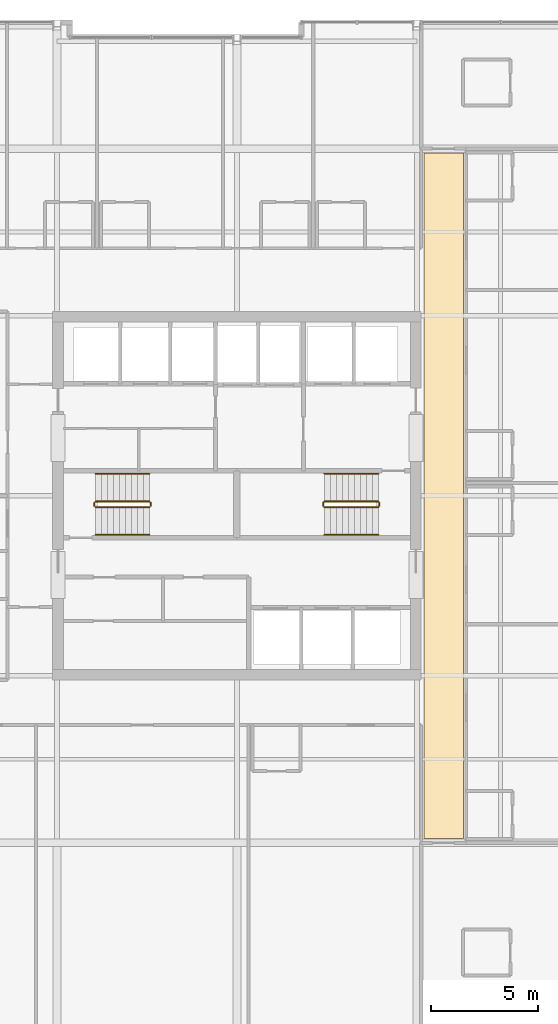
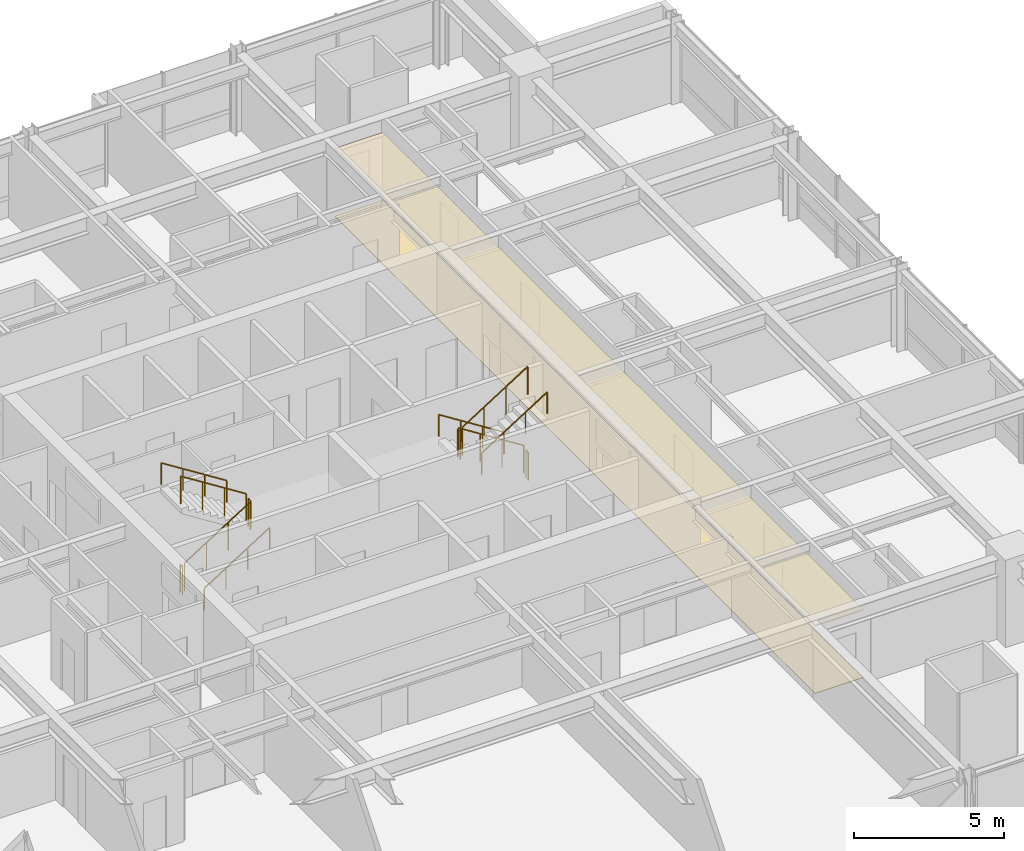
# One storey, part 30 of 31: 12 railings, 2 coverings.
"""IFC4 building model written with IfcOpenShell, lengths in metres."""

from ifc_helpers import new_model, si_unit, direction, frame, origin, origin_2d, place, context, subcontext, project, spatial, polyline, circle, outline, extrude, material, layer, layer_set, type_object, element, save


model = new_model("IFC4")

# Units and contexts
model_context = context("Model", 3, precision=1e-05, world=origin(), true_north=direction((0.0, 1.0)))
body_context = subcontext(model_context, "Body", "Model", "MODEL_VIEW")
ifc_project = project(units=[si_unit("LENGTHUNIT", "METRE"), si_unit("AREAUNIT", "SQUARE_METRE"), si_unit("VOLUMEUNIT", "CUBIC_METRE"), si_unit("PLANEANGLEUNIT", "RADIAN"), si_unit("MASSUNIT", "GRAM", prefix="KILO")], contexts=[model_context])

# Site, building, storey
site_placement = place(None, origin())
site = spatial("IfcSite", under=ifc_project, at=site_placement, CompositionType="ELEMENT")
building_placement = place(site_placement, origin())
building = spatial("IfcBuilding", under=site, at=building_placement, Name="Drelvath Grand Hotel", CompositionType="ELEMENT")
storey_placement = place(building_placement, frame((0.0, 0.0, 185.89990234375)))
storey = spatial("IfcBuildingStorey", under=building, at=storey_placement, Name="L48", CompositionType="ELEMENT", Elevation=185.89990234375)

# Railings
ifc_material_1 = material(Name="Painted Steel S275", Category="steel")
railing_type_1 = type_object("IfcRailingType", Name="Core Stair Wall Handrail 900", PredefinedType="HANDRAIL", material=ifc_material_1)
railing_1_placement = place(storey_placement, frame((-6.60009765625, 25.169921875, 0.177490234375)))
element("IfcRailing", 1, at=railing_1_placement, inside=storey, type_object=railing_type_1, Name="L48 ST-1 stair handrail 1", PredefinedType="HANDRAIL", context=body_context, shape_type="SweptSolid", body=[
    extrude(circle(Radius=0.02392578125, at=origin_2d()), frame((0.0, 0.0, 0.8759765625), z_axis=(0.84456994832, 0.0, 0.535445237532), x_axis=(0.0, 1.0, 0.0)), (0.0, 0.0, 1.0), 2.98388671875),
    extrude(circle(Radius=0.02099609375, at=origin_2d()), origin(), (0.0, 0.0, 1.0), 0.851806640625),
    extrude(circle(Radius=0.02099609375, at=origin_2d()), frame((0.840087890625, 0.0, 0.532470703125)), (0.0, 0.0, 1.0), 0.851806640625),
    extrude(circle(Radius=0.02099609375, at=origin_2d()), frame((1.679931640625, 0.0, 1.065185546875)), (0.0, 0.0, 1.0), 0.851806640625),
    extrude(circle(Radius=0.02099609375, at=origin_2d()), frame((2.52001953125, 0.0, 1.59765625)), (0.0, 0.0, 1.0), 0.851806640625),
])
railing_2_placement = place(storey_placement, frame((-4.080078125, 28.030029296875, 1.95263671875)))
element("IfcRailing", 2, at=railing_2_placement, inside=storey, type_object=railing_type_1, Name="L48 ST-1 stair handrail 2", PredefinedType="HANDRAIL", context=body_context, shape_type="SweptSolid", body=[
    extrude(circle(Radius=0.02392578125, at=origin_2d()), frame((0.0, 0.0, 0.8759765625), z_axis=(-0.84460694969, 0.0, 0.535386869969), x_axis=(0.0, -1.0, 0.0)), (0.0, 0.0, 1.0), 2.983642578125),
    extrude(circle(Radius=0.02099609375, at=origin_2d()), origin(), (0.0, 0.0, 1.0), 0.851806640625),
    extrude(circle(Radius=0.02099609375, at=origin_2d()), frame((-0.840087890625, 0.0, 0.532470703125)), (0.0, 0.0, 1.0), 0.851806640625),
    extrude(circle(Radius=0.02099609375, at=origin_2d()), frame((-1.679931640625, 0.0, 1.06494140625)), (0.0, 0.0, 1.0), 0.851806640625),
    extrude(circle(Radius=0.02099609375, at=origin_2d()), frame((-2.52001953125, 0.0, 1.597412109375)), (0.0, 0.0, 1.0), 0.851806640625),
])
railing_3_placement = place(storey_placement, frame((6.60009765625, 28.030029296875, 0.177490234375)))
element("IfcRailing", 3, at=railing_3_placement, inside=storey, type_object=railing_type_1, Name="L48 ST-2 stair handrail 1", PredefinedType="HANDRAIL", context=body_context, shape_type="SweptSolid", body=[
    extrude(circle(Radius=0.02392578125, at=origin_2d()), frame((0.0, 0.0, 0.8759765625), z_axis=(-0.84456994832, 0.0, 0.535445237532), x_axis=(0.0, -1.0, 0.0)), (0.0, 0.0, 1.0), 2.98388671875),
    extrude(circle(Radius=0.02099609375, at=origin_2d()), origin(), (0.0, 0.0, 1.0), 0.851806640625),
    extrude(circle(Radius=0.02099609375, at=origin_2d()), frame((-0.840087890625, 0.0, 0.532470703125)), (0.0, 0.0, 1.0), 0.851806640625),
    extrude(circle(Radius=0.02099609375, at=origin_2d()), frame((-1.679931640625, 0.0, 1.065185546875)), (0.0, 0.0, 1.0), 0.851806640625),
    extrude(circle(Radius=0.02099609375, at=origin_2d()), frame((-2.52001953125, 0.0, 1.59765625)), (0.0, 0.0, 1.0), 0.851806640625),
])
railing_4_placement = place(storey_placement, frame((4.080078125, 25.169921875, 1.95263671875)))
element("IfcRailing", 4, at=railing_4_placement, inside=storey, type_object=railing_type_1, Name="L48 ST-2 stair handrail 2", PredefinedType="HANDRAIL", context=body_context, shape_type="SweptSolid", body=[
    extrude(circle(Radius=0.02392578125, at=origin_2d()), frame((0.0, 0.0, 0.8759765625), z_axis=(0.84460694969, 0.0, 0.535386869969), x_axis=(0.0, 1.0, 0.0)), (0.0, 0.0, 1.0), 2.983642578125),
    extrude(circle(Radius=0.02099609375, at=origin_2d()), origin(), (0.0, 0.0, 1.0), 0.851806640625),
    extrude(circle(Radius=0.02099609375, at=origin_2d()), frame((0.840087890625, 0.0, 0.532470703125)), (0.0, 0.0, 1.0), 0.851806640625),
    extrude(circle(Radius=0.02099609375, at=origin_2d()), frame((1.679931640625, 0.0, 1.06494140625)), (0.0, 0.0, 1.0), 0.851806640625),
    extrude(circle(Radius=0.02099609375, at=origin_2d()), frame((2.52001953125, 0.0, 1.597412109375)), (0.0, 0.0, 1.0), 0.851806640625),
])
railing_type_2 = type_object("IfcRailingType", Name="Core Stair Well Guardrail 1100", PredefinedType="GUARDRAIL", material=ifc_material_1)
railing_5_placement = place(storey_placement, frame((-6.60009765625, 26.469970703125, 0.177490234375)))
element("IfcRailing", 5, at=railing_5_placement, inside=storey, type_object=railing_type_2, Name="L48 ST-1 stair guard 1", PredefinedType="GUARDRAIL", context=body_context, shape_type="SweptSolid", body=[
    extrude(circle(Radius=0.02392578125, at=origin_2d()), frame((0.0, 0.0, 1.1259765625), z_axis=(0.84456994832, 0.0, 0.535445237532), x_axis=(0.0, 1.0, 0.0)), (0.0, 0.0, 1.0), 2.98388671875),
    extrude(circle(Radius=0.02099609375, at=origin_2d()), origin(), (0.0, 0.0, 1.0), 1.101806640625),
    extrude(circle(Radius=0.02099609375, at=origin_2d()), frame((0.840087890625, 0.0, 0.532470703125)), (0.0, 0.0, 1.0), 1.101806640625),
    extrude(circle(Radius=0.02099609375, at=origin_2d()), frame((1.679931640625, 0.0, 1.065185546875)), (0.0, 0.0, 1.0), 1.101806640625),
    extrude(circle(Radius=0.02099609375, at=origin_2d()), frame((2.52001953125, 0.0, 1.59765625)), (0.0, 0.0, 1.0), 1.101806640625),
])
railing_6_placement = place(storey_placement, frame((-4.030029296875, 26.52001953125, 1.775146484375)))
element("IfcRailing", 6, at=railing_6_placement, inside=storey, type_object=railing_type_2, Name="L48 ST-1 stair guard 2", PredefinedType="GUARDRAIL", context=body_context, shape_type="SweptSolid", body=[
    extrude(circle(Radius=0.02392578125, at=origin_2d()), frame((0.0, 0.0, 1.1259765625), z_axis=(0.0, 1.0, 0.0), x_axis=(-1.0, 0.0, 0.0)), (0.0, 0.0, 1.0), 0.159912109375),
    extrude(circle(Radius=0.02099609375, at=origin_2d()), origin(), (0.0, 0.0, 1.0), 1.101806640625),
    extrude(circle(Radius=0.02099609375, at=origin_2d()), frame((0.0, 0.159912109375, 0.0)), (0.0, 0.0, 1.0), 1.101806640625),
])
railing_7_placement = place(storey_placement, frame((-4.080078125, 26.72998046875, 1.95263671875)))
element("IfcRailing", 7, at=railing_7_placement, inside=storey, type_object=railing_type_2, Name="L48 ST-1 stair guard 3", PredefinedType="GUARDRAIL", context=body_context, shape_type="SweptSolid", body=[
    extrude(circle(Radius=0.02392578125, at=origin_2d()), frame((0.0, 0.0, 1.1259765625), z_axis=(-0.84460694969, 0.0, 0.535386869969), x_axis=(0.0, -1.0, 0.0)), (0.0, 0.0, 1.0), 2.983642578125),
    extrude(circle(Radius=0.02099609375, at=origin_2d()), origin(), (0.0, 0.0, 1.0), 1.101806640625),
    extrude(circle(Radius=0.02099609375, at=origin_2d()), frame((-0.840087890625, 0.0, 0.532470703125)), (0.0, 0.0, 1.0), 1.101806640625),
    extrude(circle(Radius=0.02099609375, at=origin_2d()), frame((-1.679931640625, 0.0, 1.06494140625)), (0.0, 0.0, 1.0), 1.101806640625),
    extrude(circle(Radius=0.02099609375, at=origin_2d()), frame((-2.52001953125, 0.0, 1.597412109375)), (0.0, 0.0, 1.0), 1.101806640625),
])
railing_8_placement = place(storey_placement, frame((-6.64990234375, 26.52001953125, 0.0)))
element("IfcRailing", 8, at=railing_8_placement, inside=storey, type_object=railing_type_2, Name="L48 ST-1 stair guard 4", PredefinedType="GUARDRAIL", context=body_context, shape_type="SweptSolid", body=[
    extrude(circle(Radius=0.02392578125, at=origin_2d()), frame((0.0, 0.0, 1.1259765625), z_axis=(0.0, 1.0, 0.0), x_axis=(-1.0, 0.0, 0.0)), (0.0, 0.0, 1.0), 0.159912109375),
    extrude(circle(Radius=0.02099609375, at=origin_2d()), origin(), (0.0, 0.0, 1.0), 1.101806640625),
    extrude(circle(Radius=0.02099609375, at=origin_2d()), frame((0.0, 0.159912109375, 0.0)), (0.0, 0.0, 1.0), 1.101806640625),
])
railing_9_placement = place(storey_placement, frame((6.60009765625, 26.72998046875, 0.177490234375)))
element("IfcRailing", 9, at=railing_9_placement, inside=storey, type_object=railing_type_2, Name="L48 ST-2 stair guard 1", PredefinedType="GUARDRAIL", context=body_context, shape_type="SweptSolid", body=[
    extrude(circle(Radius=0.02392578125, at=origin_2d()), frame((0.0, 0.0, 1.1259765625), z_axis=(-0.84456994832, 0.0, 0.535445237532), x_axis=(0.0, -1.0, 0.0)), (0.0, 0.0, 1.0), 2.98388671875),
    extrude(circle(Radius=0.02099609375, at=origin_2d()), origin(), (0.0, 0.0, 1.0), 1.101806640625),
    extrude(circle(Radius=0.02099609375, at=origin_2d()), frame((-0.840087890625, 0.0, 0.532470703125)), (0.0, 0.0, 1.0), 1.101806640625),
    extrude(circle(Radius=0.02099609375, at=origin_2d()), frame((-1.679931640625, 0.0, 1.065185546875)), (0.0, 0.0, 1.0), 1.101806640625),
    extrude(circle(Radius=0.02099609375, at=origin_2d()), frame((-2.52001953125, 0.0, 1.59765625)), (0.0, 0.0, 1.0), 1.101806640625),
])
railing_10_placement = place(storey_placement, frame((4.030029296875, 26.679931640625, 1.775146484375)))
element("IfcRailing", 10, at=railing_10_placement, inside=storey, type_object=railing_type_2, Name="L48 ST-2 stair guard 2", PredefinedType="GUARDRAIL", context=body_context, shape_type="SweptSolid", body=[
    extrude(circle(Radius=0.02392578125, at=origin_2d()), frame((0.0, 0.0, 1.1259765625), z_axis=(0.0, -1.0, 0.0), x_axis=(1.0, 0.0, 0.0)), (0.0, 0.0, 1.0), 0.159912109375),
    extrude(circle(Radius=0.02099609375, at=origin_2d()), origin(), (0.0, 0.0, 1.0), 1.101806640625),
    extrude(circle(Radius=0.02099609375, at=origin_2d()), frame((0.0, -0.159912109375, 0.0)), (0.0, 0.0, 1.0), 1.101806640625),
])
railing_11_placement = place(storey_placement, frame((4.080078125, 26.469970703125, 1.95263671875)))
element("IfcRailing", 11, at=railing_11_placement, inside=storey, type_object=railing_type_2, Name="L48 ST-2 stair guard 3", PredefinedType="GUARDRAIL", context=body_context, shape_type="SweptSolid", body=[
    extrude(circle(Radius=0.02392578125, at=origin_2d()), frame((0.0, 0.0, 1.1259765625), z_axis=(0.84460694969, 0.0, 0.535386869969), x_axis=(0.0, 1.0, 0.0)), (0.0, 0.0, 1.0), 2.983642578125),
    extrude(circle(Radius=0.02099609375, at=origin_2d()), origin(), (0.0, 0.0, 1.0), 1.101806640625),
    extrude(circle(Radius=0.02099609375, at=origin_2d()), frame((0.840087890625, 0.0, 0.532470703125)), (0.0, 0.0, 1.0), 1.101806640625),
    extrude(circle(Radius=0.02099609375, at=origin_2d()), frame((1.679931640625, 0.0, 1.06494140625)), (0.0, 0.0, 1.0), 1.101806640625),
    extrude(circle(Radius=0.02099609375, at=origin_2d()), frame((2.52001953125, 0.0, 1.597412109375)), (0.0, 0.0, 1.0), 1.101806640625),
])
railing_12_placement = place(storey_placement, frame((6.64990234375, 26.679931640625, 0.0)))
element("IfcRailing", 12, at=railing_12_placement, inside=storey, type_object=railing_type_2, Name="L48 ST-2 stair guard 4", PredefinedType="GUARDRAIL", context=body_context, shape_type="SweptSolid", body=[
    extrude(circle(Radius=0.02392578125, at=origin_2d()), frame((0.0, 0.0, 1.1259765625), z_axis=(0.0, -1.0, 0.0), x_axis=(1.0, 0.0, 0.0)), (0.0, 0.0, 1.0), 0.159912109375),
    extrude(circle(Radius=0.02099609375, at=origin_2d()), origin(), (0.0, 0.0, 1.0), 1.101806640625),
    extrude(circle(Radius=0.02099609375, at=origin_2d()), frame((0.0, -0.159912109375, 0.0)), (0.0, 0.0, 1.0), 1.101806640625),
])

# Coverings
ifc_material_2 = material(Name="Woven Wool Broadloom Carpet")
ifc_layer_1 = layer(ifc_material_2, 0.01806640625)
ifc_layer_set_1 = layer_set([ifc_layer_1], Name="Woven Wool Broadloom Carpet")
covering_type_1 = type_object("IfcCoveringType", Name="Hospitality Broadloom Carpet 18", PredefinedType="FLOORING", material=ifc_layer_set_1)
covering_1_placement = place(storey_placement, origin())
element("IfcCovering", 13, at=covering_1_placement, inside=storey, type_object=covering_type_1, Name="L48 East Spine Carpet", PredefinedType="FLOORING", context=body_context, shape_type="SweptSolid", body=[
    extrude(outline(polyline([(10.580078125, 11.0), (10.580078125, 43.0), (8.719970703125, 43.0), (8.719970703125, 11.0), (10.580078125, 11.0)])), origin(), (0.0, 0.0, 1.0), 0.01806640625),
])
ifc_material_3 = material(Name="Anodised Aluminium Alloy", Category="aluminium")
ifc_layer_2 = layer(ifc_material_3, 0.0400390625)
ifc_layer_set_2 = layer_set([ifc_layer_2], Name="Anodised Aluminium Alloy")
covering_type_2 = type_object("IfcCoveringType", Name="Perforated Metal Corridor Ceiling 40", PredefinedType="CEILING", material=ifc_layer_set_2)
covering_2_placement = place(storey_placement, frame((0.0, 0.0, 2.739990234375)))
element("IfcCovering", 14, at=covering_2_placement, inside=storey, type_object=covering_type_2, Name="L48 East Spine Ceiling", PredefinedType="CEILING", context=body_context, shape_type="SweptSolid", body=[
    extrude(outline(polyline([(10.580078125, 11.0), (10.580078125, 43.0), (8.719970703125, 43.0), (8.719970703125, 11.0), (10.580078125, 11.0)])), origin(), (0.0, 0.0, 1.0), 0.0400390625),
])

save(model, "model.ifc")
